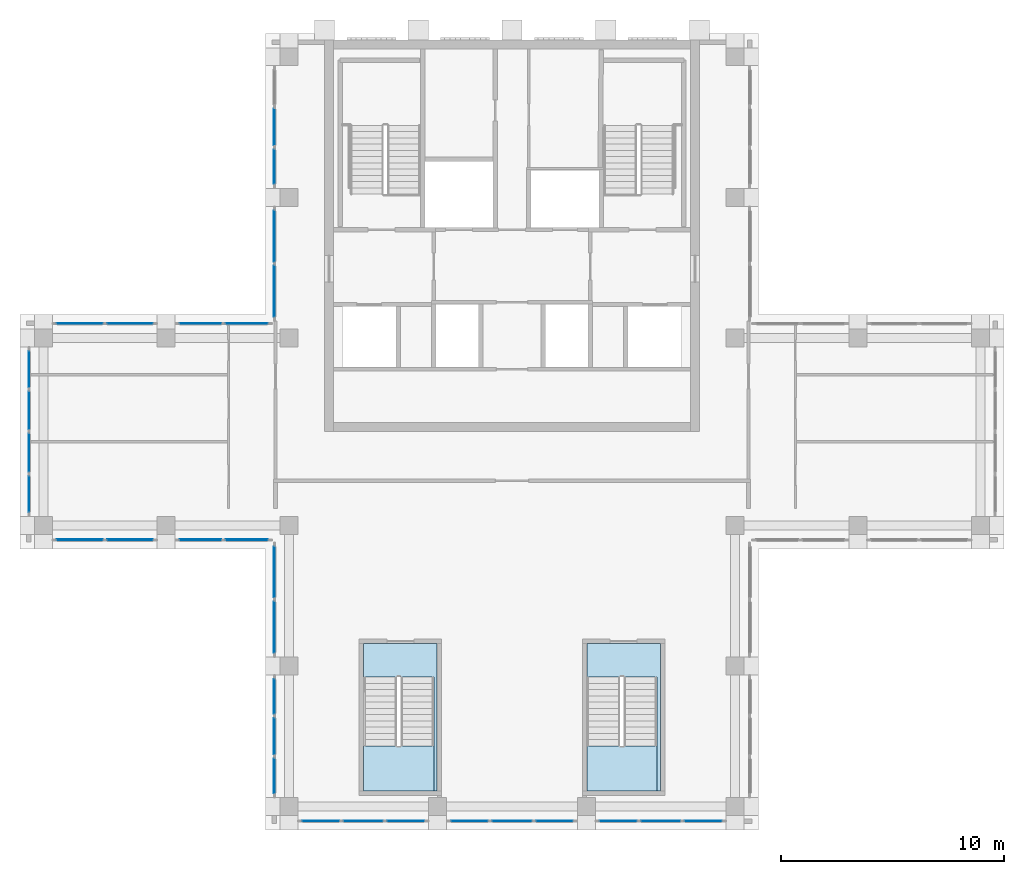
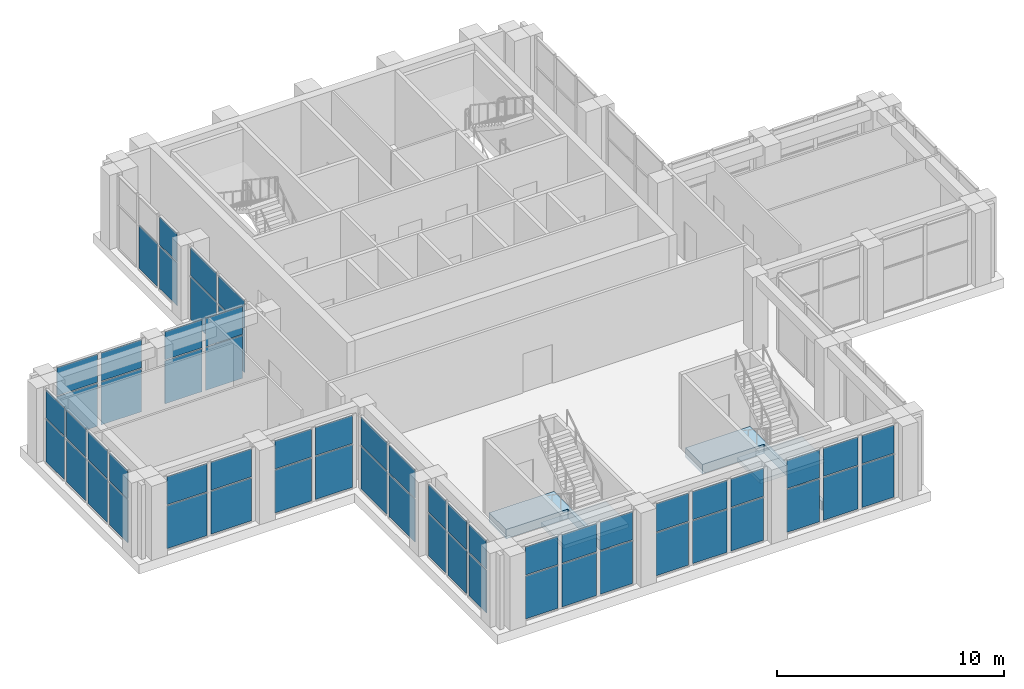
# One storey, part 7 of 14: 59 plates, 4 slabs, 14 elements without a shape of their own.
"""IFC4 building model written with IfcOpenShell, lengths in metres."""

from ifc_helpers import new_model, si_unit, direction, frame, origin, origin_2d, place, context, subcontext, project, spatial, polyline, rectangle, outline, extrude, material, layer, layer_set, type_object, element, aggregate, save


model = new_model("IFC4")

# Units and contexts
model_context = context("Model", 3, precision=1e-05, world=origin(), true_north=direction((0.0, 1.0)))
body_context = subcontext(model_context, "Body", "Model", "MODEL_VIEW")
ifc_project = project(units=[si_unit("LENGTHUNIT", "METRE"), si_unit("AREAUNIT", "SQUARE_METRE"), si_unit("VOLUMEUNIT", "CUBIC_METRE"), si_unit("PLANEANGLEUNIT", "RADIAN"), si_unit("MASSUNIT", "GRAM", prefix="KILO")], contexts=[model_context])

# Site, building, storey
site_placement = place(None, origin())
site = spatial("IfcSite", under=ifc_project, at=site_placement, CompositionType="ELEMENT")
building_placement = place(site_placement, origin())
building = spatial("IfcBuilding", under=site, at=building_placement, Name="Vermilion Ogive Tower", CompositionType="ELEMENT")
storey_placement = place(building_placement, frame((0.0, 0.0, 289.35009765625)))
storey = spatial("IfcBuildingStorey", under=building, at=storey_placement, Name="L75", CompositionType="ELEMENT", Elevation=289.35009765625)

# Curtain wall, plates
ifc_material_1 = material(Name="Low-iron laminated glazing in aluminium frame", Category="aluminium")
curtain_wall_type = type_object("IfcCurtainWallType", Name="Curtain wall CW3", PredefinedType="NOTDEFINED", material=ifc_material_1)
curtain_wall_1_placement = place(storey_placement, origin())
curtain_wall_1 = element("IfcCurtainWall", 1, at=curtain_wall_1_placement, inside=storey, type_object=curtain_wall_type, Name="CW3 glazing S1", PredefinedType="NOTDEFINED")
ifc_material_2 = material(Name="Low-iron laminated glazing in aluminium frame", Category="aluminium")
ifc_layer_1 = layer(ifc_material_2, 0.035888671875)
ifc_layer_set_1 = layer_set([ifc_layer_1], Name="CW3 glazing panel 36")
plate_type = type_object("IfcPlateType", Name="CW3 glazing panel 36", PredefinedType="CURTAIN_PANEL", material=ifc_layer_set_1)
plate_1_placement = place(storey_placement, frame((-8.572265625, -13.25, 0.059814453125), z_axis=(0.0, 0.0, 1.0), x_axis=(1.0, 0.0, 0.0)))
plate_1 = element("IfcPlate", 2, at=plate_1_placement, type_object=plate_type, Name="CW3-S1 panel 1.1", PredefinedType="CURTAIN_PANEL", context=body_context, shape_type="SweptSolid", body=[
    extrude(rectangle(XDim=1.655517578125, YDim=0.035888671875, at=origin_2d()), origin(), (0.0, 0.0, 1.0), 2.31005859375),
])
plate_2_placement = place(storey_placement, frame((-8.572265625, -13.25, 2.4296875), z_axis=(0.0, 0.0, 1.0), x_axis=(1.0, 0.0, 0.0)))
plate_2 = element("IfcPlate", 3, at=plate_2_placement, type_object=plate_type, Name="CW3-S1 panel 1.2", PredefinedType="CURTAIN_PANEL", context=body_context, shape_type="SweptSolid", body=[
    extrude(rectangle(XDim=1.655517578125, YDim=0.035888671875, at=origin_2d()), origin(), (0.0, 0.0, 1.0), 1.510009765625),
])
plate_3_placement = place(storey_placement, frame((-6.666748046875, -13.25, 0.059814453125), z_axis=(0.0, 0.0, 1.0), x_axis=(1.0, 0.0, 0.0)))
plate_3 = element("IfcPlate", 4, at=plate_3_placement, type_object=plate_type, Name="CW3-S1 panel 2.1", PredefinedType="CURTAIN_PANEL", context=body_context, shape_type="SweptSolid", body=[
    extrude(rectangle(XDim=1.755615234375, YDim=0.035888671875, at=origin_2d()), origin(), (0.0, 0.0, 1.0), 2.31005859375),
])
plate_4_placement = place(storey_placement, frame((-6.666748046875, -13.25, 2.4296875), z_axis=(0.0, 0.0, 1.0), x_axis=(1.0, 0.0, 0.0)))
plate_4 = element("IfcPlate", 5, at=plate_4_placement, type_object=plate_type, Name="CW3-S1 panel 2.2", PredefinedType="CURTAIN_PANEL", context=body_context, shape_type="SweptSolid", body=[
    extrude(rectangle(XDim=1.755615234375, YDim=0.035888671875, at=origin_2d()), origin(), (0.0, 0.0, 1.0), 1.510009765625),
])
plate_5_placement = place(storey_placement, frame((-4.76123046875, -13.25, 0.059814453125), z_axis=(0.0, 0.0, 1.0), x_axis=(1.0, 0.0, 0.0)))
plate_5 = element("IfcPlate", 6, at=plate_5_placement, type_object=plate_type, Name="CW3-S1 panel 3.1", PredefinedType="CURTAIN_PANEL", context=body_context, shape_type="SweptSolid", body=[
    extrude(rectangle(XDim=1.655517578125, YDim=0.035888671875, at=origin_2d()), origin(), (0.0, 0.0, 1.0), 2.31005859375),
])
plate_6_placement = place(storey_placement, frame((-4.76123046875, -13.25, 2.4296875), z_axis=(0.0, 0.0, 1.0), x_axis=(1.0, 0.0, 0.0)))
plate_6 = element("IfcPlate", 7, at=plate_6_placement, type_object=plate_type, Name="CW3-S1 panel 3.2", PredefinedType="CURTAIN_PANEL", context=body_context, shape_type="SweptSolid", body=[
    extrude(rectangle(XDim=1.655517578125, YDim=0.035888671875, at=origin_2d()), origin(), (0.0, 0.0, 1.0), 1.510009765625),
])
aggregate(curtain_wall_1, [plate_1, plate_2, plate_3, plate_4, plate_5, plate_6])

curtain_wall_2_placement = place(storey_placement, origin())
curtain_wall_2 = element("IfcCurtainWall", 8, at=curtain_wall_2_placement, inside=storey, type_object=curtain_wall_type, Name="CW3 glazing S2", PredefinedType="NOTDEFINED")
plate_7_placement = place(storey_placement, frame((-1.905517578125, -13.25, 0.059814453125), z_axis=(0.0, 0.0, 1.0), x_axis=(1.0, 0.0, 0.0)))
plate_7 = element("IfcPlate", 9, at=plate_7_placement, type_object=plate_type, Name="CW3-S2 panel 1.1", PredefinedType="CURTAIN_PANEL", context=body_context, shape_type="SweptSolid", body=[
    extrude(rectangle(XDim=1.655517578125, YDim=0.035888671875, at=origin_2d()), origin(), (0.0, 0.0, 1.0), 2.31005859375),
])
plate_8_placement = place(storey_placement, frame((-1.905517578125, -13.25, 2.4296875), z_axis=(0.0, 0.0, 1.0), x_axis=(1.0, 0.0, 0.0)))
plate_8 = element("IfcPlate", 10, at=plate_8_placement, type_object=plate_type, Name="CW3-S2 panel 1.2", PredefinedType="CURTAIN_PANEL", context=body_context, shape_type="SweptSolid", body=[
    extrude(rectangle(XDim=1.655517578125, YDim=0.035888671875, at=origin_2d()), origin(), (0.0, 0.0, 1.0), 1.510009765625),
])
plate_9_placement = place(storey_placement, frame((0.0, -13.25, 0.059814453125), z_axis=(0.0, 0.0, 1.0), x_axis=(1.0, 0.0, 0.0)))
plate_9 = element("IfcPlate", 11, at=plate_9_placement, type_object=plate_type, Name="CW3-S2 panel 2.1", PredefinedType="CURTAIN_PANEL", context=body_context, shape_type="SweptSolid", body=[
    extrude(rectangle(XDim=1.755615234375, YDim=0.035888671875, at=origin_2d()), origin(), (0.0, 0.0, 1.0), 2.31005859375),
])
plate_10_placement = place(storey_placement, frame((0.0, -13.25, 2.4296875), z_axis=(0.0, 0.0, 1.0), x_axis=(1.0, 0.0, 0.0)))
plate_10 = element("IfcPlate", 12, at=plate_10_placement, type_object=plate_type, Name="CW3-S2 panel 2.2", PredefinedType="CURTAIN_PANEL", context=body_context, shape_type="SweptSolid", body=[
    extrude(rectangle(XDim=1.755615234375, YDim=0.035888671875, at=origin_2d()), origin(), (0.0, 0.0, 1.0), 1.510009765625),
])
plate_11_placement = place(storey_placement, frame((1.905517578125, -13.25, 0.059814453125), z_axis=(0.0, 0.0, 1.0), x_axis=(1.0, 0.0, 0.0)))
plate_11 = element("IfcPlate", 13, at=plate_11_placement, type_object=plate_type, Name="CW3-S2 panel 3.1", PredefinedType="CURTAIN_PANEL", context=body_context, shape_type="SweptSolid", body=[
    extrude(rectangle(XDim=1.655517578125, YDim=0.035888671875, at=origin_2d()), origin(), (0.0, 0.0, 1.0), 2.31005859375),
])
plate_12_placement = place(storey_placement, frame((1.905517578125, -13.25, 2.4296875), z_axis=(0.0, 0.0, 1.0), x_axis=(1.0, 0.0, 0.0)))
plate_12 = element("IfcPlate", 14, at=plate_12_placement, type_object=plate_type, Name="CW3-S2 panel 3.2", PredefinedType="CURTAIN_PANEL", context=body_context, shape_type="SweptSolid", body=[
    extrude(rectangle(XDim=1.655517578125, YDim=0.035888671875, at=origin_2d()), origin(), (0.0, 0.0, 1.0), 1.510009765625),
])
aggregate(curtain_wall_2, [plate_7, plate_8, plate_9, plate_10, plate_11, plate_12])

curtain_wall_3_placement = place(storey_placement, origin())
curtain_wall_3 = element("IfcCurtainWall", 15, at=curtain_wall_3_placement, inside=storey, type_object=curtain_wall_type, Name="CW3 glazing S3", PredefinedType="NOTDEFINED")
plate_13_placement = place(storey_placement, frame((4.76123046875, -13.25, 0.059814453125), z_axis=(0.0, 0.0, 1.0), x_axis=(1.0, 0.0, 0.0)))
plate_13 = element("IfcPlate", 16, at=plate_13_placement, type_object=plate_type, Name="CW3-S3 panel 1.1", PredefinedType="CURTAIN_PANEL", context=body_context, shape_type="SweptSolid", body=[
    extrude(rectangle(XDim=1.655517578125, YDim=0.035888671875, at=origin_2d()), origin(), (0.0, 0.0, 1.0), 2.31005859375),
])
plate_14_placement = place(storey_placement, frame((4.76123046875, -13.25, 2.4296875), z_axis=(0.0, 0.0, 1.0), x_axis=(1.0, 0.0, 0.0)))
plate_14 = element("IfcPlate", 17, at=plate_14_placement, type_object=plate_type, Name="CW3-S3 panel 1.2", PredefinedType="CURTAIN_PANEL", context=body_context, shape_type="SweptSolid", body=[
    extrude(rectangle(XDim=1.655517578125, YDim=0.035888671875, at=origin_2d()), origin(), (0.0, 0.0, 1.0), 1.510009765625),
])
plate_15_placement = place(storey_placement, frame((6.666748046875, -13.25, 0.059814453125), z_axis=(0.0, 0.0, 1.0), x_axis=(1.0, 0.0, 0.0)))
plate_15 = element("IfcPlate", 18, at=plate_15_placement, type_object=plate_type, Name="CW3-S3 panel 2.1", PredefinedType="CURTAIN_PANEL", context=body_context, shape_type="SweptSolid", body=[
    extrude(rectangle(XDim=1.755615234375, YDim=0.035888671875, at=origin_2d()), origin(), (0.0, 0.0, 1.0), 2.31005859375),
])
plate_16_placement = place(storey_placement, frame((6.666748046875, -13.25, 2.4296875), z_axis=(0.0, 0.0, 1.0), x_axis=(1.0, 0.0, 0.0)))
plate_16 = element("IfcPlate", 19, at=plate_16_placement, type_object=plate_type, Name="CW3-S3 panel 2.2", PredefinedType="CURTAIN_PANEL", context=body_context, shape_type="SweptSolid", body=[
    extrude(rectangle(XDim=1.755615234375, YDim=0.035888671875, at=origin_2d()), origin(), (0.0, 0.0, 1.0), 1.510009765625),
])
plate_17_placement = place(storey_placement, frame((8.572265625, -13.25, 0.059814453125), z_axis=(0.0, 0.0, 1.0), x_axis=(1.0, 0.0, 0.0)))
plate_17 = element("IfcPlate", 20, at=plate_17_placement, type_object=plate_type, Name="CW3-S3 panel 3.1", PredefinedType="CURTAIN_PANEL", context=body_context, shape_type="SweptSolid", body=[
    extrude(rectangle(XDim=1.655517578125, YDim=0.035888671875, at=origin_2d()), origin(), (0.0, 0.0, 1.0), 2.31005859375),
])
plate_18_placement = place(storey_placement, frame((8.572265625, -13.25, 2.4296875), z_axis=(0.0, 0.0, 1.0), x_axis=(1.0, 0.0, 0.0)))
plate_18 = element("IfcPlate", 21, at=plate_18_placement, type_object=plate_type, Name="CW3-S3 panel 3.2", PredefinedType="CURTAIN_PANEL", context=body_context, shape_type="SweptSolid", body=[
    extrude(rectangle(XDim=1.655517578125, YDim=0.035888671875, at=origin_2d()), origin(), (0.0, 0.0, 1.0), 1.510009765625),
])
aggregate(curtain_wall_3, [plate_13, plate_14, plate_15, plate_16, plate_17, plate_18])

curtain_wall_4_placement = place(storey_placement, origin())
curtain_wall_4 = element("IfcCurtainWall", 22, at=curtain_wall_4_placement, inside=storey, type_object=curtain_wall_type, Name="CW3 glazing X51", PredefinedType="NOTDEFINED")
plate_19_placement = place(storey_placement, frame((-10.64990234375, 17.85009765625, 0.059814453125), z_axis=(0.0, 0.0, 1.0), x_axis=(0.0, -1.0, 0.0)))
plate_19 = element("IfcPlate", 23, at=plate_19_placement, type_object=plate_type, Name="CW3-X51 panel 2.1", PredefinedType="CURTAIN_PANEL", context=body_context, shape_type="SweptSolid", body=[
    extrude(rectangle(XDim=1.63330078125, YDim=0.035888671875, at=origin_2d()), origin(), (0.0, 0.0, 1.0), 2.31005859375),
])
plate_20_placement = place(storey_placement, frame((-10.64990234375, 16.066650390625, 0.059814453125), z_axis=(0.0, 0.0, 1.0), x_axis=(0.0, -1.0, 0.0)))
plate_20 = element("IfcPlate", 24, at=plate_20_placement, type_object=plate_type, Name="CW3-X51 panel 3.1", PredefinedType="CURTAIN_PANEL", context=body_context, shape_type="SweptSolid", body=[
    extrude(rectangle(XDim=1.533447265625, YDim=0.035888671875, at=origin_2d()), origin(), (0.0, 0.0, 1.0), 2.31005859375),
])
plate_21_placement = place(storey_placement, frame((-10.64990234375, 16.066650390625, 2.4296875), z_axis=(0.0, 0.0, 1.0), x_axis=(0.0, -1.0, 0.0)))
plate_21 = element("IfcPlate", 25, at=plate_21_placement, type_object=plate_type, Name="CW3-X51 panel 3.2", PredefinedType="CURTAIN_PANEL", context=body_context, shape_type="SweptSolid", body=[
    extrude(rectangle(XDim=1.533447265625, YDim=0.035888671875, at=origin_2d()), origin(), (0.0, 0.0, 1.0), 1.510009765625),
])
aggregate(curtain_wall_4, [plate_19, plate_20, plate_21])

curtain_wall_5_placement = place(storey_placement, origin())
curtain_wall_5 = element("IfcCurtainWall", 26, at=curtain_wall_5_placement, inside=storey, type_object=curtain_wall_type, Name="CW3 glazing X52", PredefinedType="NOTDEFINED")
plate_22_placement = place(storey_placement, frame((-10.64990234375, 12.96240234375, 0.059814453125), z_axis=(0.0, 0.0, 1.0), x_axis=(0.0, -1.0, 0.0)))
plate_22 = element("IfcPlate", 27, at=plate_22_placement, type_object=plate_type, Name="CW3-X52 panel 1.1", PredefinedType="CURTAIN_PANEL", context=body_context, shape_type="SweptSolid", body=[
    extrude(rectangle(XDim=2.27490234375, YDim=0.035888671875, at=origin_2d()), origin(), (0.0, 0.0, 1.0), 2.31005859375),
])
plate_23_placement = place(storey_placement, frame((-10.64990234375, 12.96240234375, 2.4296875), z_axis=(0.0, 0.0, 1.0), x_axis=(0.0, -1.0, 0.0)))
plate_23 = element("IfcPlate", 28, at=plate_23_placement, type_object=plate_type, Name="CW3-X52 panel 1.2", PredefinedType="CURTAIN_PANEL", context=body_context, shape_type="SweptSolid", body=[
    extrude(rectangle(XDim=2.27490234375, YDim=0.035888671875, at=origin_2d()), origin(), (0.0, 0.0, 1.0), 1.510009765625),
])
plate_24_placement = place(storey_placement, frame((-10.64990234375, 10.487548828125, 0.059814453125), z_axis=(0.0, 0.0, 1.0), x_axis=(0.0, -1.0, 0.0)))
plate_24 = element("IfcPlate", 29, at=plate_24_placement, type_object=plate_type, Name="CW3-X52 panel 2.1", PredefinedType="CURTAIN_PANEL", context=body_context, shape_type="SweptSolid", body=[
    extrude(rectangle(XDim=2.27490234375, YDim=0.035888671875, at=origin_2d()), origin(), (0.0, 0.0, 1.0), 2.31005859375),
])
plate_25_placement = place(storey_placement, frame((-10.64990234375, 10.487548828125, 2.4296875), z_axis=(0.0, 0.0, 1.0), x_axis=(0.0, -1.0, 0.0)))
plate_25 = element("IfcPlate", 30, at=plate_25_placement, type_object=plate_type, Name="CW3-X52 panel 2.2", PredefinedType="CURTAIN_PANEL", context=body_context, shape_type="SweptSolid", body=[
    extrude(rectangle(XDim=2.27490234375, YDim=0.035888671875, at=origin_2d()), origin(), (0.0, 0.0, 1.0), 1.510009765625),
])
aggregate(curtain_wall_5, [plate_22, plate_23, plate_24, plate_25])

curtain_wall_6_placement = place(storey_placement, origin())
curtain_wall_6 = element("IfcCurtainWall", 31, at=curtain_wall_6_placement, inside=storey, type_object=curtain_wall_type, Name="CW3 glazing X61", PredefinedType="NOTDEFINED")
plate_26_placement = place(storey_placement, frame((-11.887451171875, 9.050048828125, 0.059814453125), z_axis=(0.0, 0.0, 1.0), x_axis=(-1.0, 0.0, 0.0)))
plate_26 = element("IfcPlate", 32, at=plate_26_placement, type_object=plate_type, Name="CW3-X61 panel 1.1", PredefinedType="CURTAIN_PANEL", context=body_context, shape_type="SweptSolid", body=[
    extrude(rectangle(XDim=1.875, YDim=0.035888671875, at=origin_2d()), origin(), (0.0, 0.0, 1.0), 2.31005859375),
])
plate_27_placement = place(storey_placement, frame((-11.887451171875, 9.050048828125, 2.4296875), z_axis=(0.0, 0.0, 1.0), x_axis=(-1.0, 0.0, 0.0)))
plate_27 = element("IfcPlate", 33, at=plate_27_placement, type_object=plate_type, Name="CW3-X61 panel 1.2", PredefinedType="CURTAIN_PANEL", context=body_context, shape_type="SweptSolid", body=[
    extrude(rectangle(XDim=1.875, YDim=0.035888671875, at=origin_2d()), origin(), (0.0, 0.0, 1.0), 1.510009765625),
])
plate_28_placement = place(storey_placement, frame((-13.96240234375, 9.050048828125, 0.059814453125), z_axis=(0.0, 0.0, 1.0), x_axis=(-1.0, 0.0, 0.0)))
plate_28 = element("IfcPlate", 34, at=plate_28_placement, type_object=plate_type, Name="CW3-X61 panel 2.1", PredefinedType="CURTAIN_PANEL", context=body_context, shape_type="SweptSolid", body=[
    extrude(rectangle(XDim=1.875, YDim=0.035888671875, at=origin_2d()), origin(), (0.0, 0.0, 1.0), 2.31005859375),
])
plate_29_placement = place(storey_placement, frame((-13.96240234375, 9.050048828125, 2.4296875), z_axis=(0.0, 0.0, 1.0), x_axis=(-1.0, 0.0, 0.0)))
plate_29 = element("IfcPlate", 35, at=plate_29_placement, type_object=plate_type, Name="CW3-X61 panel 2.2", PredefinedType="CURTAIN_PANEL", context=body_context, shape_type="SweptSolid", body=[
    extrude(rectangle(XDim=1.875, YDim=0.035888671875, at=origin_2d()), origin(), (0.0, 0.0, 1.0), 1.510009765625),
])
aggregate(curtain_wall_6, [plate_26, plate_27, plate_28, plate_29])

curtain_wall_7_placement = place(storey_placement, origin())
curtain_wall_7 = element("IfcCurtainWall", 36, at=curtain_wall_7_placement, inside=storey, type_object=curtain_wall_type, Name="CW3 glazing X62", PredefinedType="NOTDEFINED")
plate_30_placement = place(storey_placement, frame((-17.125, 9.050048828125, 0.059814453125), z_axis=(0.0, 0.0, 1.0), x_axis=(-1.0, 0.0, 0.0)))
plate_30 = element("IfcPlate", 37, at=plate_30_placement, type_object=plate_type, Name="CW3-X62 panel 1.1", PredefinedType="CURTAIN_PANEL", context=body_context, shape_type="SweptSolid", body=[
    extrude(rectangle(XDim=2.050048828125, YDim=0.035888671875, at=origin_2d()), origin(), (0.0, 0.0, 1.0), 2.31005859375),
])
plate_31_placement = place(storey_placement, frame((-17.125, 9.050048828125, 2.4296875), z_axis=(0.0, 0.0, 1.0), x_axis=(-1.0, 0.0, 0.0)))
plate_31 = element("IfcPlate", 38, at=plate_31_placement, type_object=plate_type, Name="CW3-X62 panel 1.2", PredefinedType="CURTAIN_PANEL", context=body_context, shape_type="SweptSolid", body=[
    extrude(rectangle(XDim=2.050048828125, YDim=0.035888671875, at=origin_2d()), origin(), (0.0, 0.0, 1.0), 1.510009765625),
])
plate_32_placement = place(storey_placement, frame((-19.375, 9.050048828125, 0.059814453125), z_axis=(0.0, 0.0, 1.0), x_axis=(-1.0, 0.0, 0.0)))
plate_32 = element("IfcPlate", 39, at=plate_32_placement, type_object=plate_type, Name="CW3-X62 panel 2.1", PredefinedType="CURTAIN_PANEL", context=body_context, shape_type="SweptSolid", body=[
    extrude(rectangle(XDim=2.050048828125, YDim=0.035888671875, at=origin_2d()), origin(), (0.0, 0.0, 1.0), 2.31005859375),
])
plate_33_placement = place(storey_placement, frame((-19.375, 9.050048828125, 2.4296875), z_axis=(0.0, 0.0, 1.0), x_axis=(-1.0, 0.0, 0.0)))
plate_33 = element("IfcPlate", 40, at=plate_33_placement, type_object=plate_type, Name="CW3-X62 panel 2.2", PredefinedType="CURTAIN_PANEL", context=body_context, shape_type="SweptSolid", body=[
    extrude(rectangle(XDim=2.050048828125, YDim=0.035888671875, at=origin_2d()), origin(), (0.0, 0.0, 1.0), 1.510009765625),
])
aggregate(curtain_wall_7, [plate_30, plate_31, plate_32, plate_33])

curtain_wall_8_placement = place(storey_placement, origin())
curtain_wall_8 = element("IfcCurtainWall", 41, at=curtain_wall_8_placement, inside=storey, type_object=curtain_wall_type, Name="CW3 glazing W1", PredefinedType="NOTDEFINED")
plate_34_placement = place(storey_placement, frame((-21.64990234375, 7.0, 0.059814453125), z_axis=(0.0, 0.0, 1.0), x_axis=(0.0, -1.0, 0.0)))
plate_34 = element("IfcPlate", 42, at=plate_34_placement, type_object=plate_type, Name="CW3-W1 panel 1.1", PredefinedType="CURTAIN_PANEL", context=body_context, shape_type="SweptSolid", body=[
    extrude(rectangle(XDim=1.60009765625, YDim=0.035888671875, at=origin_2d()), origin(), (0.0, 0.0, 1.0), 2.31005859375),
])
plate_35_placement = place(storey_placement, frame((-21.64990234375, 7.0, 2.4296875), z_axis=(0.0, 0.0, 1.0), x_axis=(0.0, -1.0, 0.0)))
plate_35 = element("IfcPlate", 43, at=plate_35_placement, type_object=plate_type, Name="CW3-W1 panel 1.2", PredefinedType="CURTAIN_PANEL", context=body_context, shape_type="SweptSolid", body=[
    extrude(rectangle(XDim=1.60009765625, YDim=0.035888671875, at=origin_2d()), origin(), (0.0, 0.0, 1.0), 1.510009765625),
])
plate_36_placement = place(storey_placement, frame((-21.64990234375, 5.14990234375, 0.059814453125), z_axis=(0.0, 0.0, 1.0), x_axis=(0.0, -1.0, 0.0)))
plate_36 = element("IfcPlate", 44, at=plate_36_placement, type_object=plate_type, Name="CW3-W1 panel 2.1", PredefinedType="CURTAIN_PANEL", context=body_context, shape_type="SweptSolid", body=[
    extrude(rectangle(XDim=1.699951171875, YDim=0.035888671875, at=origin_2d()), origin(), (0.0, 0.0, 1.0), 2.31005859375),
])
plate_37_placement = place(storey_placement, frame((-21.64990234375, 5.14990234375, 2.4296875), z_axis=(0.0, 0.0, 1.0), x_axis=(0.0, -1.0, 0.0)))
plate_37 = element("IfcPlate", 45, at=plate_37_placement, type_object=plate_type, Name="CW3-W1 panel 2.2", PredefinedType="CURTAIN_PANEL", context=body_context, shape_type="SweptSolid", body=[
    extrude(rectangle(XDim=1.699951171875, YDim=0.035888671875, at=origin_2d()), origin(), (0.0, 0.0, 1.0), 1.510009765625),
])
plate_38_placement = place(storey_placement, frame((-21.64990234375, 3.25, 0.059814453125), z_axis=(0.0, 0.0, 1.0), x_axis=(0.0, -1.0, 0.0)))
plate_38 = element("IfcPlate", 46, at=plate_38_placement, type_object=plate_type, Name="CW3-W1 panel 3.1", PredefinedType="CURTAIN_PANEL", context=body_context, shape_type="SweptSolid", body=[
    extrude(rectangle(XDim=1.699951171875, YDim=0.035888671875, at=origin_2d()), origin(), (0.0, 0.0, 1.0), 2.31005859375),
])
plate_39_placement = place(storey_placement, frame((-21.64990234375, 3.25, 2.4296875), z_axis=(0.0, 0.0, 1.0), x_axis=(0.0, -1.0, 0.0)))
plate_39 = element("IfcPlate", 47, at=plate_39_placement, type_object=plate_type, Name="CW3-W1 panel 3.2", PredefinedType="CURTAIN_PANEL", context=body_context, shape_type="SweptSolid", body=[
    extrude(rectangle(XDim=1.699951171875, YDim=0.035888671875, at=origin_2d()), origin(), (0.0, 0.0, 1.0), 1.510009765625),
])
plate_40_placement = place(storey_placement, frame((-21.64990234375, 1.39990234375, 0.059814453125), z_axis=(0.0, 0.0, 1.0), x_axis=(0.0, -1.0, 0.0)))
plate_40 = element("IfcPlate", 48, at=plate_40_placement, type_object=plate_type, Name="CW3-W1 panel 4.1", PredefinedType="CURTAIN_PANEL", context=body_context, shape_type="SweptSolid", body=[
    extrude(rectangle(XDim=1.60009765625, YDim=0.035888671875, at=origin_2d()), origin(), (0.0, 0.0, 1.0), 2.31005859375),
])
plate_41_placement = place(storey_placement, frame((-21.64990234375, 1.39990234375, 2.4296875), z_axis=(0.0, 0.0, 1.0), x_axis=(0.0, -1.0, 0.0)))
plate_41 = element("IfcPlate", 49, at=plate_41_placement, type_object=plate_type, Name="CW3-W1 panel 4.2", PredefinedType="CURTAIN_PANEL", context=body_context, shape_type="SweptSolid", body=[
    extrude(rectangle(XDim=1.60009765625, YDim=0.035888671875, at=origin_2d()), origin(), (0.0, 0.0, 1.0), 1.510009765625),
])
aggregate(curtain_wall_8, [plate_34, plate_35, plate_36, plate_37, plate_38, plate_39, plate_40, plate_41])

curtain_wall_9_placement = place(storey_placement, origin())
curtain_wall_9 = element("IfcCurtainWall", 50, at=curtain_wall_9_placement, inside=storey, type_object=curtain_wall_type, Name="CW3 glazing X71", PredefinedType="NOTDEFINED")
plate_42_placement = place(storey_placement, frame((-19.375, -0.64990234375, 0.059814453125), z_axis=(0.0, 0.0, 1.0), x_axis=(1.0, 0.0, 0.0)))
plate_42 = element("IfcPlate", 51, at=plate_42_placement, type_object=plate_type, Name="CW3-X71 panel 1.1", PredefinedType="CURTAIN_PANEL", context=body_context, shape_type="SweptSolid", body=[
    extrude(rectangle(XDim=2.050048828125, YDim=0.035888671875, at=origin_2d()), origin(), (0.0, 0.0, 1.0), 2.31005859375),
])
plate_43_placement = place(storey_placement, frame((-19.375, -0.64990234375, 2.4296875), z_axis=(0.0, 0.0, 1.0), x_axis=(1.0, 0.0, 0.0)))
plate_43 = element("IfcPlate", 52, at=plate_43_placement, type_object=plate_type, Name="CW3-X71 panel 1.2", PredefinedType="CURTAIN_PANEL", context=body_context, shape_type="SweptSolid", body=[
    extrude(rectangle(XDim=2.050048828125, YDim=0.035888671875, at=origin_2d()), origin(), (0.0, 0.0, 1.0), 1.510009765625),
])
plate_44_placement = place(storey_placement, frame((-17.125, -0.64990234375, 0.059814453125), z_axis=(0.0, 0.0, 1.0), x_axis=(1.0, 0.0, 0.0)))
plate_44 = element("IfcPlate", 53, at=plate_44_placement, type_object=plate_type, Name="CW3-X71 panel 2.1", PredefinedType="CURTAIN_PANEL", context=body_context, shape_type="SweptSolid", body=[
    extrude(rectangle(XDim=2.050048828125, YDim=0.035888671875, at=origin_2d()), origin(), (0.0, 0.0, 1.0), 2.31005859375),
])
plate_45_placement = place(storey_placement, frame((-17.125, -0.64990234375, 2.4296875), z_axis=(0.0, 0.0, 1.0), x_axis=(1.0, 0.0, 0.0)))
plate_45 = element("IfcPlate", 54, at=plate_45_placement, type_object=plate_type, Name="CW3-X71 panel 2.2", PredefinedType="CURTAIN_PANEL", context=body_context, shape_type="SweptSolid", body=[
    extrude(rectangle(XDim=2.050048828125, YDim=0.035888671875, at=origin_2d()), origin(), (0.0, 0.0, 1.0), 1.510009765625),
])
aggregate(curtain_wall_9, [plate_42, plate_43, plate_44, plate_45])

curtain_wall_10_placement = place(storey_placement, origin())
curtain_wall_10 = element("IfcCurtainWall", 55, at=curtain_wall_10_placement, inside=storey, type_object=curtain_wall_type, Name="CW3 glazing X72", PredefinedType="NOTDEFINED")
plate_46_placement = place(storey_placement, frame((-13.96240234375, -0.64990234375, 0.059814453125), z_axis=(0.0, 0.0, 1.0), x_axis=(1.0, 0.0, 0.0)))
plate_46 = element("IfcPlate", 56, at=plate_46_placement, type_object=plate_type, Name="CW3-X72 panel 1.1", PredefinedType="CURTAIN_PANEL", context=body_context, shape_type="SweptSolid", body=[
    extrude(rectangle(XDim=1.875, YDim=0.035888671875, at=origin_2d()), origin(), (0.0, 0.0, 1.0), 2.31005859375),
])
plate_47_placement = place(storey_placement, frame((-13.96240234375, -0.64990234375, 2.4296875), z_axis=(0.0, 0.0, 1.0), x_axis=(1.0, 0.0, 0.0)))
plate_47 = element("IfcPlate", 57, at=plate_47_placement, type_object=plate_type, Name="CW3-X72 panel 1.2", PredefinedType="CURTAIN_PANEL", context=body_context, shape_type="SweptSolid", body=[
    extrude(rectangle(XDim=1.875, YDim=0.035888671875, at=origin_2d()), origin(), (0.0, 0.0, 1.0), 1.510009765625),
])
plate_48_placement = place(storey_placement, frame((-11.887451171875, -0.64990234375, 0.059814453125), z_axis=(0.0, 0.0, 1.0), x_axis=(1.0, 0.0, 0.0)))
plate_48 = element("IfcPlate", 58, at=plate_48_placement, type_object=plate_type, Name="CW3-X72 panel 2.1", PredefinedType="CURTAIN_PANEL", context=body_context, shape_type="SweptSolid", body=[
    extrude(rectangle(XDim=1.875, YDim=0.035888671875, at=origin_2d()), origin(), (0.0, 0.0, 1.0), 2.31005859375),
])
plate_49_placement = place(storey_placement, frame((-11.887451171875, -0.64990234375, 2.4296875), z_axis=(0.0, 0.0, 1.0), x_axis=(1.0, 0.0, 0.0)))
plate_49 = element("IfcPlate", 59, at=plate_49_placement, type_object=plate_type, Name="CW3-X72 panel 2.2", PredefinedType="CURTAIN_PANEL", context=body_context, shape_type="SweptSolid", body=[
    extrude(rectangle(XDim=1.875, YDim=0.035888671875, at=origin_2d()), origin(), (0.0, 0.0, 1.0), 1.510009765625),
])
aggregate(curtain_wall_10, [plate_46, plate_47, plate_48, plate_49])

curtain_wall_11_placement = place(storey_placement, origin())
curtain_wall_11 = element("IfcCurtainWall", 60, at=curtain_wall_11_placement, inside=storey, type_object=curtain_wall_type, Name="CW3 glazing X81", PredefinedType="NOTDEFINED")
plate_50_placement = place(storey_placement, frame((-10.64990234375, -2.08740234375, 0.059814453125), z_axis=(0.0, 0.0, 1.0), x_axis=(0.0, -1.0, 0.0)))
plate_50 = element("IfcPlate", 61, at=plate_50_placement, type_object=plate_type, Name="CW3-X81 panel 1.1", PredefinedType="CURTAIN_PANEL", context=body_context, shape_type="SweptSolid", body=[
    extrude(rectangle(XDim=2.27490234375, YDim=0.035888671875, at=origin_2d()), origin(), (0.0, 0.0, 1.0), 2.31005859375),
])
plate_51_placement = place(storey_placement, frame((-10.64990234375, -2.08740234375, 2.4296875), z_axis=(0.0, 0.0, 1.0), x_axis=(0.0, -1.0, 0.0)))
plate_51 = element("IfcPlate", 62, at=plate_51_placement, type_object=plate_type, Name="CW3-X81 panel 1.2", PredefinedType="CURTAIN_PANEL", context=body_context, shape_type="SweptSolid", body=[
    extrude(rectangle(XDim=2.27490234375, YDim=0.035888671875, at=origin_2d()), origin(), (0.0, 0.0, 1.0), 1.510009765625),
])
plate_52_placement = place(storey_placement, frame((-10.64990234375, -4.5625, 0.059814453125), z_axis=(0.0, 0.0, 1.0), x_axis=(0.0, -1.0, 0.0)))
plate_52 = element("IfcPlate", 63, at=plate_52_placement, type_object=plate_type, Name="CW3-X81 panel 2.1", PredefinedType="CURTAIN_PANEL", context=body_context, shape_type="SweptSolid", body=[
    extrude(rectangle(XDim=2.27490234375, YDim=0.035888671875, at=origin_2d()), origin(), (0.0, 0.0, 1.0), 2.31005859375),
])
plate_53_placement = place(storey_placement, frame((-10.64990234375, -4.5625, 2.4296875), z_axis=(0.0, 0.0, 1.0), x_axis=(0.0, -1.0, 0.0)))
plate_53 = element("IfcPlate", 64, at=plate_53_placement, type_object=plate_type, Name="CW3-X81 panel 2.2", PredefinedType="CURTAIN_PANEL", context=body_context, shape_type="SweptSolid", body=[
    extrude(rectangle(XDim=2.27490234375, YDim=0.035888671875, at=origin_2d()), origin(), (0.0, 0.0, 1.0), 1.510009765625),
])
aggregate(curtain_wall_11, [plate_50, plate_51, plate_52, plate_53])

curtain_wall_12_placement = place(storey_placement, origin())
curtain_wall_12 = element("IfcCurtainWall", 65, at=curtain_wall_12_placement, inside=storey, type_object=curtain_wall_type, Name="CW3 glazing X82", PredefinedType="NOTDEFINED")
plate_54_placement = place(storey_placement, frame((-10.64990234375, -7.666748046875, 0.059814453125), z_axis=(0.0, 0.0, 1.0), x_axis=(0.0, -1.0, 0.0)))
plate_54 = element("IfcPlate", 66, at=plate_54_placement, type_object=plate_type, Name="CW3-X82 panel 1.1", PredefinedType="CURTAIN_PANEL", context=body_context, shape_type="SweptSolid", body=[
    extrude(rectangle(XDim=1.533447265625, YDim=0.035888671875, at=origin_2d()), origin(), (0.0, 0.0, 1.0), 2.31005859375),
])
plate_55_placement = place(storey_placement, frame((-10.64990234375, -7.666748046875, 2.4296875), z_axis=(0.0, 0.0, 1.0), x_axis=(0.0, -1.0, 0.0)))
plate_55 = element("IfcPlate", 67, at=plate_55_placement, type_object=plate_type, Name="CW3-X82 panel 1.2", PredefinedType="CURTAIN_PANEL", context=body_context, shape_type="SweptSolid", body=[
    extrude(rectangle(XDim=1.533447265625, YDim=0.035888671875, at=origin_2d()), origin(), (0.0, 0.0, 1.0), 1.510009765625),
])
plate_56_placement = place(storey_placement, frame((-10.64990234375, -9.449951171875, 0.059814453125), z_axis=(0.0, 0.0, 1.0), x_axis=(0.0, -1.0, 0.0)))
plate_56 = element("IfcPlate", 68, at=plate_56_placement, type_object=plate_type, Name="CW3-X82 panel 2.1", PredefinedType="CURTAIN_PANEL", context=body_context, shape_type="SweptSolid", body=[
    extrude(rectangle(XDim=1.63330078125, YDim=0.035888671875, at=origin_2d()), origin(), (0.0, 0.0, 1.0), 2.31005859375),
])
plate_57_placement = place(storey_placement, frame((-10.64990234375, -9.449951171875, 2.4296875), z_axis=(0.0, 0.0, 1.0), x_axis=(0.0, -1.0, 0.0)))
plate_57 = element("IfcPlate", 69, at=plate_57_placement, type_object=plate_type, Name="CW3-X82 panel 2.2", PredefinedType="CURTAIN_PANEL", context=body_context, shape_type="SweptSolid", body=[
    extrude(rectangle(XDim=1.63330078125, YDim=0.035888671875, at=origin_2d()), origin(), (0.0, 0.0, 1.0), 1.510009765625),
])
plate_58_placement = place(storey_placement, frame((-10.64990234375, -11.2333984375, 0.059814453125), z_axis=(0.0, 0.0, 1.0), x_axis=(0.0, -1.0, 0.0)))
plate_58 = element("IfcPlate", 70, at=plate_58_placement, type_object=plate_type, Name="CW3-X82 panel 3.1", PredefinedType="CURTAIN_PANEL", context=body_context, shape_type="SweptSolid", body=[
    extrude(rectangle(XDim=1.533447265625, YDim=0.035888671875, at=origin_2d()), origin(), (0.0, 0.0, 1.0), 2.31005859375),
])
plate_59_placement = place(storey_placement, frame((-10.64990234375, -11.2333984375, 2.4296875), z_axis=(0.0, 0.0, 1.0), x_axis=(0.0, -1.0, 0.0)))
plate_59 = element("IfcPlate", 71, at=plate_59_placement, type_object=plate_type, Name="CW3-X82 panel 3.2", PredefinedType="CURTAIN_PANEL", context=body_context, shape_type="SweptSolid", body=[
    extrude(rectangle(XDim=1.533447265625, YDim=0.035888671875, at=origin_2d()), origin(), (0.0, 0.0, 1.0), 1.510009765625),
])
aggregate(curtain_wall_12, [plate_54, plate_55, plate_56, plate_57, plate_58, plate_59])

# Slabs
ifc_material_3 = material(Name="Concrete B40", Category="concrete")
ifc_layer_2 = layer(ifc_material_3, 0.5)
ifc_layer_set_2 = layer_set([ifc_layer_2], Name="Core floor slab 500 B40")
slab_type_1 = type_object("IfcSlabType", Name="Core floor slab 500 B40", PredefinedType="FLOOR", material=ifc_layer_set_2)
slab_1_placement = place(storey_placement, frame((0.0, 0.0, -0.5)))
element("IfcSlab", 72, at=slab_1_placement, inside=storey, type_object=slab_type_1, Name="L75-SF-ST6-1", PredefinedType="FLOOR", context=body_context, shape_type="SweptSolid", body=[
    extrude(outline(polyline([(3.35009765625, -5.300048828125), (3.35009765625, -6.802001953125), (4.85009765625, -6.802001953125), (4.85009765625, -6.800048828125), (5.0, -6.800048828125), (5.0, -6.802001953125), (6.5, -6.802001953125), (6.5, -11.89990234375), (6.64990234375, -11.89990234375), (6.64990234375, -5.300048828125), (3.35009765625, -5.300048828125)])), origin(), (0.0, 0.0, 1.0), 0.5),
])
slab_2_placement = place(storey_placement, frame((0.0, 0.0, -0.5)))
element("IfcSlab", 73, at=slab_2_placement, inside=storey, type_object=slab_type_1, Name="L75-SF-ST7-1", PredefinedType="FLOOR", context=body_context, shape_type="SweptSolid", body=[
    extrude(outline(polyline([(-6.64990234375, -5.300048828125), (-6.64990234375, -6.802001953125), (-5.14990234375, -6.802001953125), (-5.14990234375, -6.800048828125), (-5.0, -6.800048828125), (-5.0, -6.802001953125), (-3.5, -6.802001953125), (-3.5, -11.89990234375), (-3.35009765625, -11.89990234375), (-3.35009765625, -5.300048828125), (-6.64990234375, -5.300048828125)])), origin(), (0.0, 0.0, 1.0), 0.5),
])

# Stair, slab
ifc_material_4 = material(Name="Concrete B40", Category="concrete")
stair_type = type_object("IfcStairType", Name="Exit stair 1500", PredefinedType="HALF_TURN_STAIR", material=ifc_material_4)
stair_1_placement = place(storey_placement, origin())
stair_1 = element("IfcStair", 74, at=stair_1_placement, inside=storey, type_object=stair_type, Name="L75 Exit Stair ST6", PredefinedType="HALF_TURN_STAIR")
ifc_material_5 = material(Name="Concrete B40", Category="concrete")
ifc_layer_3 = layer(ifc_material_5, 0.199951171875)
ifc_layer_set_3 = layer_set([ifc_layer_3], Name="Stair landing 200")
slab_type_2 = type_object("IfcSlabType", Name="Stair landing 200", PredefinedType="LANDING", material=ifc_layer_set_3)
slab_3_placement = place(storey_placement, frame((0.0, 0.0, 2.0498046875)))
slab_3 = element("IfcSlab", 75, at=slab_3_placement, type_object=slab_type_2, Name="ST6 landing 1", PredefinedType="LANDING", context=body_context, shape_type="SweptSolid", body=[
    extrude(outline(polyline([(6.64990234375, -9.8798828125), (6.5, -9.8798828125), (6.5, -9.8779296875), (5.0, -9.8779296875), (5.0, -9.8798828125), (4.85009765625, -9.8798828125), (4.85009765625, -9.8779296875), (3.35009765625, -9.8779296875), (3.35009765625, -11.89990234375), (6.64990234375, -11.89990234375), (6.64990234375, -9.8798828125)])), origin(), (0.0, 0.0, 1.0), 0.2001953125),
])
aggregate(stair_1, [slab_3])

stair_2_placement = place(storey_placement, origin())
stair_2 = element("IfcStair", 76, at=stair_2_placement, inside=storey, type_object=stair_type, Name="L75 Exit Stair ST7", PredefinedType="HALF_TURN_STAIR")
slab_4_placement = place(storey_placement, frame((0.0, 0.0, 2.0498046875)))
slab_4 = element("IfcSlab", 77, at=slab_4_placement, type_object=slab_type_2, Name="ST7 landing 1", PredefinedType="LANDING", context=body_context, shape_type="SweptSolid", body=[
    extrude(outline(polyline([(-3.35009765625, -9.8798828125), (-3.5, -9.8798828125), (-3.5, -9.8779296875), (-5.0, -9.8779296875), (-5.0, -9.8798828125), (-5.14990234375, -9.8798828125), (-5.14990234375, -9.8779296875), (-6.64990234375, -9.8779296875), (-6.64990234375, -11.89990234375), (-3.35009765625, -11.89990234375), (-3.35009765625, -9.8798828125)])), origin(), (0.0, 0.0, 1.0), 0.2001953125),
])
aggregate(stair_2, [slab_4])

save(model, "model.ifc")
